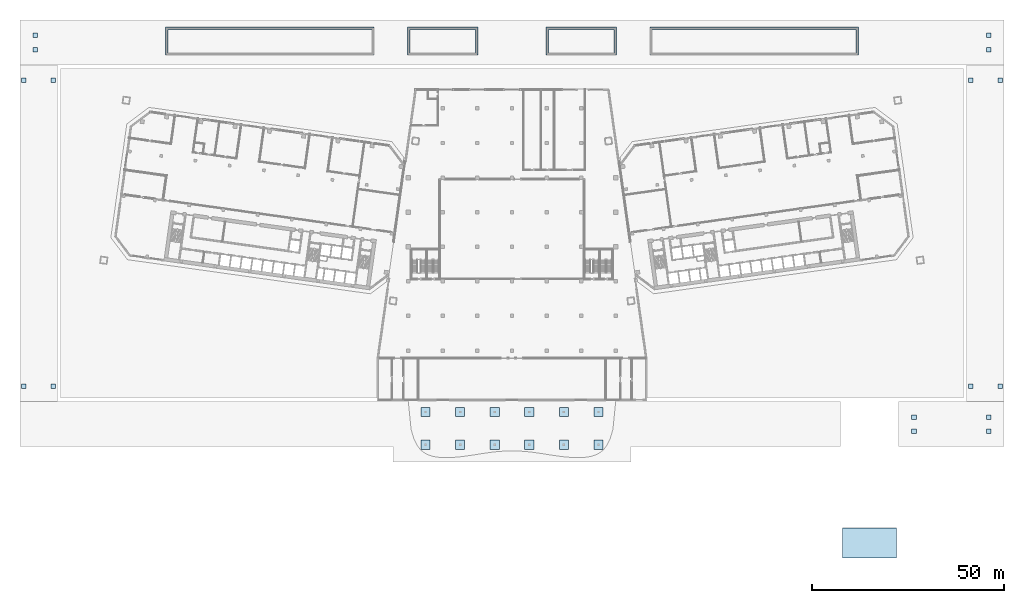
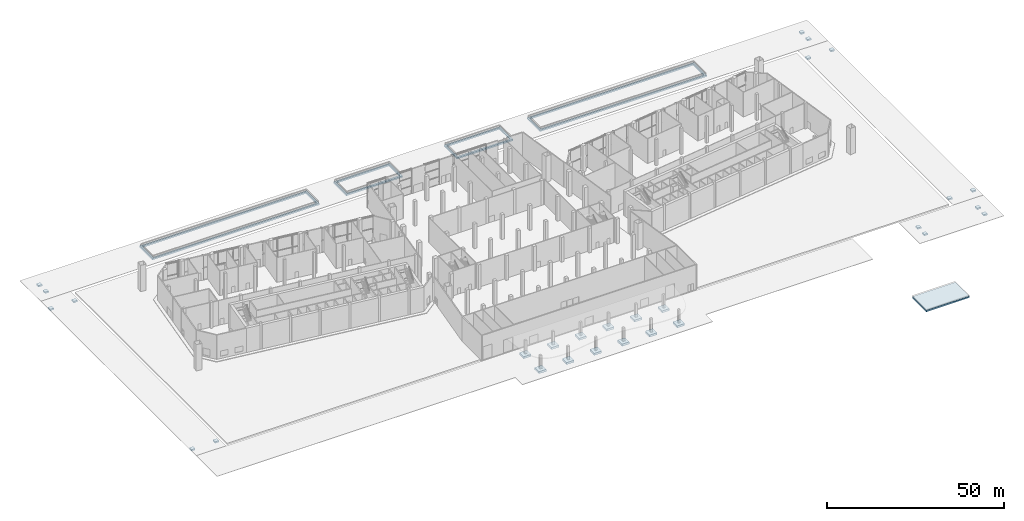
# One storey, part 1 of 34: 33 footings.
"""IFC4 building model written with IfcOpenShell, lengths in metres."""

from ifc_helpers import new_model, si_unit, direction, frame, origin, place, context, subcontext, project, spatial, polyline, outline, extrude, material, type_object, element, save


model = new_model("IFC4")

# Units and contexts
model_context = context("Model", 3, precision=1e-05, world=origin(), true_north=direction((0.0, 1.0)))
body_context = subcontext(model_context, "Body", "Model", "MODEL_VIEW")
ifc_project = project(units=[si_unit("LENGTHUNIT", "METRE"), si_unit("AREAUNIT", "SQUARE_METRE"), si_unit("VOLUMEUNIT", "CUBIC_METRE"), si_unit("PLANEANGLEUNIT", "RADIAN"), si_unit("MASSUNIT", "GRAM", prefix="KILO")], contexts=[model_context])

# Site, building, storey
site_placement = place(None, origin())
site = spatial("IfcSite", under=ifc_project, at=site_placement, CompositionType="ELEMENT")
building_placement = place(site_placement, origin())
building = spatial("IfcBuilding", under=site, at=building_placement, Name="Mirante Cascada Hotel Towers", CompositionType="ELEMENT")
storey_placement = place(building_placement, origin())
storey = spatial("IfcBuildingStorey", under=building, at=storey_placement, Name="L00", CompositionType="ELEMENT", Elevation=0.0)

# Footings
ifc_material_1 = material(Name="Concrete C35/45", Category="concrete")
footing_type_1 = type_object("IfcFootingType", Name="Landing footing 500 C35/45", PredefinedType="PAD_FOOTING", material=ifc_material_1)
footing_1_placement = place(storey_placement, frame((0.0, 0.0, -0.8)))
element("IfcFooting", 1, at=footing_1_placement, inside=storey, type_object=footing_type_1, Name="footing:B:L00:1", PredefinedType="PAD_FOOTING", context=body_context, shape_type="SweptSolid", body=[
    extrude(outline(polyline([(86.0, -90.0), (100.0, -90.0), (100.0, -82.1), (86.0, -82.1), (86.0, -90.0)])), origin(), (0.0, 0.0, 1.0), 0.5),
])
ifc_material_2 = material(Name="Concrete C35/45", Category="concrete")
footing_type_2 = type_object("IfcFootingType", Name="Pad footing 2400x2400x700 C35/45", PredefinedType="PAD_FOOTING", material=ifc_material_2)
footing_2_placement = place(storey_placement, frame((0.0, 0.0, -0.85)))
element("IfcFooting", 2, at=footing_2_placement, inside=storey, type_object=footing_type_2, Name="Canopy footing 1", PredefinedType="PAD_FOOTING", context=body_context, shape_type="SweptSolid", body=[
    extrude(outline(polyline([(-23.7, -53.2), (-21.3, -53.2), (-21.3, -50.8), (-23.7, -50.8), (-23.7, -53.2)])), origin(), (0.0, 0.0, 1.0), 0.7),
])
footing_3_placement = place(storey_placement, frame((0.0, 0.0, -0.85)))
element("IfcFooting", 3, at=footing_3_placement, inside=storey, type_object=footing_type_2, Name="Canopy footing 2", PredefinedType="PAD_FOOTING", context=body_context, shape_type="SweptSolid", body=[
    extrude(outline(polyline([(-14.7, -53.2), (-12.3, -53.2), (-12.3, -50.8), (-14.7, -50.8), (-14.7, -53.2)])), origin(), (0.0, 0.0, 1.0), 0.7),
])
footing_4_placement = place(storey_placement, frame((0.0, 0.0, -0.85)))
element("IfcFooting", 4, at=footing_4_placement, inside=storey, type_object=footing_type_2, Name="Canopy footing 3", PredefinedType="PAD_FOOTING", context=body_context, shape_type="SweptSolid", body=[
    extrude(outline(polyline([(-5.7, -53.2), (-3.3, -53.2), (-3.3, -50.8), (-5.7, -50.8), (-5.7, -53.2)])), origin(), (0.0, 0.0, 1.0), 0.7),
])
footing_5_placement = place(storey_placement, frame((0.0, 0.0, -0.85)))
element("IfcFooting", 5, at=footing_5_placement, inside=storey, type_object=footing_type_2, Name="Canopy footing 4", PredefinedType="PAD_FOOTING", context=body_context, shape_type="SweptSolid", body=[
    extrude(outline(polyline([(3.3, -53.2), (5.7, -53.2), (5.7, -50.8), (3.3, -50.8), (3.3, -53.2)])), origin(), (0.0, 0.0, 1.0), 0.7),
])
footing_6_placement = place(storey_placement, frame((0.0, 0.0, -0.85)))
element("IfcFooting", 6, at=footing_6_placement, inside=storey, type_object=footing_type_2, Name="Canopy footing 5", PredefinedType="PAD_FOOTING", context=body_context, shape_type="SweptSolid", body=[
    extrude(outline(polyline([(12.3, -53.2), (14.7, -53.2), (14.7, -50.8), (12.3, -50.8), (12.3, -53.2)])), origin(), (0.0, 0.0, 1.0), 0.7),
])
footing_7_placement = place(storey_placement, frame((0.0, 0.0, -0.85)))
element("IfcFooting", 7, at=footing_7_placement, inside=storey, type_object=footing_type_2, Name="Canopy footing 6", PredefinedType="PAD_FOOTING", context=body_context, shape_type="SweptSolid", body=[
    extrude(outline(polyline([(21.3, -53.2), (23.7, -53.2), (23.7, -50.8), (21.3, -50.8), (21.3, -53.2)])), origin(), (0.0, 0.0, 1.0), 0.7),
])
footing_8_placement = place(storey_placement, frame((0.0, 0.0, -0.85)))
element("IfcFooting", 8, at=footing_8_placement, inside=storey, type_object=footing_type_2, Name="Canopy footing 7", PredefinedType="PAD_FOOTING", context=body_context, shape_type="SweptSolid", body=[
    extrude(outline(polyline([(-23.7, -61.7), (-21.3, -61.7), (-21.3, -59.3), (-23.7, -59.3), (-23.7, -61.7)])), origin(), (0.0, 0.0, 1.0), 0.7),
])
footing_9_placement = place(storey_placement, frame((0.0, 0.0, -0.85)))
element("IfcFooting", 9, at=footing_9_placement, inside=storey, type_object=footing_type_2, Name="Canopy footing 8", PredefinedType="PAD_FOOTING", context=body_context, shape_type="SweptSolid", body=[
    extrude(outline(polyline([(-14.7, -61.7), (-12.3, -61.7), (-12.3, -59.3), (-14.7, -59.3), (-14.7, -61.7)])), origin(), (0.0, 0.0, 1.0), 0.7),
])
footing_10_placement = place(storey_placement, frame((0.0, 0.0, -0.85)))
element("IfcFooting", 10, at=footing_10_placement, inside=storey, type_object=footing_type_2, Name="Canopy footing 9", PredefinedType="PAD_FOOTING", context=body_context, shape_type="SweptSolid", body=[
    extrude(outline(polyline([(-5.7, -61.7), (-3.3, -61.7), (-3.3, -59.3), (-5.7, -59.3), (-5.7, -61.7)])), origin(), (0.0, 0.0, 1.0), 0.7),
])
footing_11_placement = place(storey_placement, frame((0.0, 0.0, -0.85)))
element("IfcFooting", 11, at=footing_11_placement, inside=storey, type_object=footing_type_2, Name="Canopy footing 10", PredefinedType="PAD_FOOTING", context=body_context, shape_type="SweptSolid", body=[
    extrude(outline(polyline([(3.3, -61.7), (5.7, -61.7), (5.7, -59.3), (3.3, -59.3), (3.3, -61.7)])), origin(), (0.0, 0.0, 1.0), 0.7),
])
footing_12_placement = place(storey_placement, frame((0.0, 0.0, -0.85)))
element("IfcFooting", 12, at=footing_12_placement, inside=storey, type_object=footing_type_2, Name="Canopy footing 11", PredefinedType="PAD_FOOTING", context=body_context, shape_type="SweptSolid", body=[
    extrude(outline(polyline([(12.3, -61.7), (14.7, -61.7), (14.7, -59.3), (12.3, -59.3), (12.3, -61.7)])), origin(), (0.0, 0.0, 1.0), 0.7),
])
footing_13_placement = place(storey_placement, frame((0.0, 0.0, -0.85)))
element("IfcFooting", 13, at=footing_13_placement, inside=storey, type_object=footing_type_2, Name="Canopy footing 12", PredefinedType="PAD_FOOTING", context=body_context, shape_type="SweptSolid", body=[
    extrude(outline(polyline([(21.3, -61.7), (23.7, -61.7), (23.7, -59.3), (21.3, -59.3), (21.3, -61.7)])), origin(), (0.0, 0.0, 1.0), 0.7),
])
ifc_material_3 = material(Name="Concrete C25/30", Category="concrete")
footing_type_3 = type_object("IfcFootingType", Name="Paving edge pad 1200x1200x500 C25/30", PredefinedType="PAD_FOOTING", material=ifc_material_3)
footing_14_placement = place(storey_placement, frame((0.0, 0.0, -0.65)))
element("IfcFooting", 14, at=footing_14_placement, inside=storey, type_object=footing_type_3, Name="Paving edge pad 1", PredefinedType="PAD_FOOTING", context=body_context, shape_type="SweptSolid", body=[
    extrude(outline(polyline([(104.0, -57.6), (105.2, -57.6), (105.2, -56.4), (104.0, -56.4), (104.0, -57.6)])), origin(), (0.0, 0.0, 1.0), 0.5),
])
footing_15_placement = place(storey_placement, frame((0.0, 0.0, -0.65)))
element("IfcFooting", 15, at=footing_15_placement, inside=storey, type_object=footing_type_3, Name="Paving edge pad 2", PredefinedType="PAD_FOOTING", context=body_context, shape_type="SweptSolid", body=[
    extrude(outline(polyline([(123.4, -57.6), (124.6, -57.6), (124.6, -56.4), (123.4, -56.4), (123.4, -57.6)])), origin(), (0.0, 0.0, 1.0), 0.5),
])
footing_16_placement = place(storey_placement, frame((0.0, 0.0, -0.65)))
element("IfcFooting", 16, at=footing_16_placement, inside=storey, type_object=footing_type_3, Name="Paving edge pad 3", PredefinedType="PAD_FOOTING", context=body_context, shape_type="SweptSolid", body=[
    extrude(outline(polyline([(123.4, -53.9), (124.6, -53.9), (124.6, -52.7), (123.4, -52.7), (123.4, -53.9)])), origin(), (0.0, 0.0, 1.0), 0.5),
])
footing_17_placement = place(storey_placement, frame((0.0, 0.0, -0.65)))
element("IfcFooting", 17, at=footing_17_placement, inside=storey, type_object=footing_type_3, Name="Paving edge pad 4", PredefinedType="PAD_FOOTING", context=body_context, shape_type="SweptSolid", body=[
    extrude(outline(polyline([(104.0, -53.9), (105.2, -53.9), (105.2, -52.7), (104.0, -52.7), (104.0, -53.9)])), origin(), (0.0, 0.0, 1.0), 0.5),
])
footing_18_placement = place(storey_placement, frame((0.0, 0.0, -0.65)))
element("IfcFooting", 18, at=footing_18_placement, inside=storey, type_object=footing_type_3, Name="Paving edge pad 5", PredefinedType="PAD_FOOTING", context=body_context, shape_type="SweptSolid", body=[
    extrude(outline(polyline([(-127.6, -45.9), (-126.4, -45.9), (-126.4, -44.7), (-127.6, -44.7), (-127.6, -45.9)])), origin(), (0.0, 0.0, 1.0), 0.5),
])
footing_19_placement = place(storey_placement, frame((0.0, 0.0, -0.65)))
element("IfcFooting", 19, at=footing_19_placement, inside=storey, type_object=footing_type_3, Name="Paving edge pad 6", PredefinedType="PAD_FOOTING", context=body_context, shape_type="SweptSolid", body=[
    extrude(outline(polyline([(-119.9, -45.9), (-118.7, -45.9), (-118.7, -44.7), (-119.9, -44.7), (-119.9, -45.9)])), origin(), (0.0, 0.0, 1.0), 0.5),
])
footing_20_placement = place(storey_placement, frame((0.0, 0.0, -0.65)))
element("IfcFooting", 20, at=footing_20_placement, inside=storey, type_object=footing_type_3, Name="Paving edge pad 7", PredefinedType="PAD_FOOTING", context=body_context, shape_type="SweptSolid", body=[
    extrude(outline(polyline([(-119.9, 33.7), (-118.7, 33.7), (-118.7, 34.9), (-119.9, 34.9), (-119.9, 33.7)])), origin(), (0.0, 0.0, 1.0), 0.5),
])
footing_21_placement = place(storey_placement, frame((0.0, 0.0, -0.65)))
element("IfcFooting", 21, at=footing_21_placement, inside=storey, type_object=footing_type_3, Name="Paving edge pad 8", PredefinedType="PAD_FOOTING", context=body_context, shape_type="SweptSolid", body=[
    extrude(outline(polyline([(-127.6, 33.7), (-126.4, 33.7), (-126.4, 34.9), (-127.6, 34.9), (-127.6, 33.7)])), origin(), (0.0, 0.0, 1.0), 0.5),
])
footing_22_placement = place(storey_placement, frame((0.0, 0.0, -0.65)))
element("IfcFooting", 22, at=footing_22_placement, inside=storey, type_object=footing_type_3, Name="Paving edge pad 9", PredefinedType="PAD_FOOTING", context=body_context, shape_type="SweptSolid", body=[
    extrude(outline(polyline([(118.7, -45.9), (119.9, -45.9), (119.9, -44.7), (118.7, -44.7), (118.7, -45.9)])), origin(), (0.0, 0.0, 1.0), 0.5),
])
footing_23_placement = place(storey_placement, frame((0.0, 0.0, -0.65)))
element("IfcFooting", 23, at=footing_23_placement, inside=storey, type_object=footing_type_3, Name="Paving edge pad 10", PredefinedType="PAD_FOOTING", context=body_context, shape_type="SweptSolid", body=[
    extrude(outline(polyline([(126.4, -45.9), (127.6, -45.9), (127.6, -44.7), (126.4, -44.7), (126.4, -45.9)])), origin(), (0.0, 0.0, 1.0), 0.5),
])
footing_24_placement = place(storey_placement, frame((0.0, 0.0, -0.65)))
element("IfcFooting", 24, at=footing_24_placement, inside=storey, type_object=footing_type_3, Name="Paving edge pad 11", PredefinedType="PAD_FOOTING", context=body_context, shape_type="SweptSolid", body=[
    extrude(outline(polyline([(126.4, 33.7), (127.6, 33.7), (127.6, 34.9), (126.4, 34.9), (126.4, 33.7)])), origin(), (0.0, 0.0, 1.0), 0.5),
])
footing_25_placement = place(storey_placement, frame((0.0, 0.0, -0.65)))
element("IfcFooting", 25, at=footing_25_placement, inside=storey, type_object=footing_type_3, Name="Paving edge pad 12", PredefinedType="PAD_FOOTING", context=body_context, shape_type="SweptSolid", body=[
    extrude(outline(polyline([(118.7, 33.7), (119.9, 33.7), (119.9, 34.9), (118.7, 34.9), (118.7, 33.7)])), origin(), (0.0, 0.0, 1.0), 0.5),
])
footing_26_placement = place(storey_placement, frame((0.0, 0.0, -0.65)))
element("IfcFooting", 26, at=footing_26_placement, inside=storey, type_object=footing_type_3, Name="Paving edge pad 13", PredefinedType="PAD_FOOTING", context=body_context, shape_type="SweptSolid", body=[
    extrude(outline(polyline([(-124.6, 41.7), (-123.4, 41.7), (-123.4, 42.9), (-124.6, 42.9), (-124.6, 41.7)])), origin(), (0.0, 0.0, 1.0), 0.5),
])
footing_27_placement = place(storey_placement, frame((0.0, 0.0, -0.65)))
element("IfcFooting", 27, at=footing_27_placement, inside=storey, type_object=footing_type_3, Name="Paving edge pad 14", PredefinedType="PAD_FOOTING", context=body_context, shape_type="SweptSolid", body=[
    extrude(outline(polyline([(123.4, 41.7), (124.6, 41.7), (124.6, 42.9), (123.4, 42.9), (123.4, 41.7)])), origin(), (0.0, 0.0, 1.0), 0.5),
])
footing_28_placement = place(storey_placement, frame((0.0, 0.0, -0.65)))
element("IfcFooting", 28, at=footing_28_placement, inside=storey, type_object=footing_type_3, Name="Paving edge pad 15", PredefinedType="PAD_FOOTING", context=body_context, shape_type="SweptSolid", body=[
    extrude(outline(polyline([(123.4, 45.4), (124.6, 45.4), (124.6, 46.6), (123.4, 46.6), (123.4, 45.4)])), origin(), (0.0, 0.0, 1.0), 0.5),
])
footing_29_placement = place(storey_placement, frame((0.0, 0.0, -0.65)))
element("IfcFooting", 29, at=footing_29_placement, inside=storey, type_object=footing_type_3, Name="Paving edge pad 16", PredefinedType="PAD_FOOTING", context=body_context, shape_type="SweptSolid", body=[
    extrude(outline(polyline([(-124.6, 45.4), (-123.4, 45.4), (-123.4, 46.6), (-124.6, 46.6), (-124.6, 45.4)])), origin(), (0.0, 0.0, 1.0), 0.5),
])
ifc_material_4 = material(Name="Concrete C25/30", Category="concrete")
footing_type_4 = type_object("IfcFootingType", Name="Planter ring footing 600x500 C25/30", PredefinedType="STRIP_FOOTING", material=ifc_material_4)
footing_30_placement = place(storey_placement, frame((0.0, 0.0, -0.65)))
element("IfcFooting", 30, at=footing_30_placement, inside=storey, type_object=footing_type_4, Name="Planter footing bed 1", PredefinedType="STRIP_FOOTING", context=body_context, shape_type="SweptSolid", body=[
    extrude(outline(polyline([(-90.15, 40.85), (-35.85, 40.85), (-35.85, 48.15), (-90.15, 48.15), (-90.15, 40.85)]), holes=[polyline([(-89.55, 41.45), (-89.55, 47.55), (-36.45, 47.55), (-36.45, 41.45), (-89.55, 41.45)])]), origin(), (0.0, 0.0, 1.0), 0.5),
])
footing_31_placement = place(storey_placement, frame((0.0, 0.0, -0.65)))
element("IfcFooting", 31, at=footing_31_placement, inside=storey, type_object=footing_type_4, Name="Planter footing bed 2", PredefinedType="STRIP_FOOTING", context=body_context, shape_type="SweptSolid", body=[
    extrude(outline(polyline([(-27.15, 40.85), (-8.85, 40.85), (-8.85, 48.15), (-27.15, 48.15), (-27.15, 40.85)]), holes=[polyline([(-26.55, 41.45), (-26.55, 47.55), (-9.45, 47.55), (-9.45, 41.45), (-26.55, 41.45)])]), origin(), (0.0, 0.0, 1.0), 0.5),
])
footing_32_placement = place(storey_placement, frame((0.0, 0.0, -0.65)))
element("IfcFooting", 32, at=footing_32_placement, inside=storey, type_object=footing_type_4, Name="Planter footing bed 3", PredefinedType="STRIP_FOOTING", context=body_context, shape_type="SweptSolid", body=[
    extrude(outline(polyline([(8.85, 40.85), (27.15, 40.85), (27.15, 48.15), (8.85, 48.15), (8.85, 40.85)]), holes=[polyline([(9.45, 41.45), (9.45, 47.55), (26.55, 47.55), (26.55, 41.45), (9.45, 41.45)])]), origin(), (0.0, 0.0, 1.0), 0.5),
])
footing_33_placement = place(storey_placement, frame((0.0, 0.0, -0.65)))
element("IfcFooting", 33, at=footing_33_placement, inside=storey, type_object=footing_type_4, Name="Planter footing bed 4", PredefinedType="STRIP_FOOTING", context=body_context, shape_type="SweptSolid", body=[
    extrude(outline(polyline([(35.85, 40.85), (90.15, 40.85), (90.15, 48.15), (35.85, 48.15), (35.85, 40.85)]), holes=[polyline([(36.45, 41.45), (36.45, 47.55), (89.55, 47.55), (89.55, 41.45), (36.45, 41.45)])]), origin(), (0.0, 0.0, 1.0), 0.5),
])

save(model, "model.ifc")
